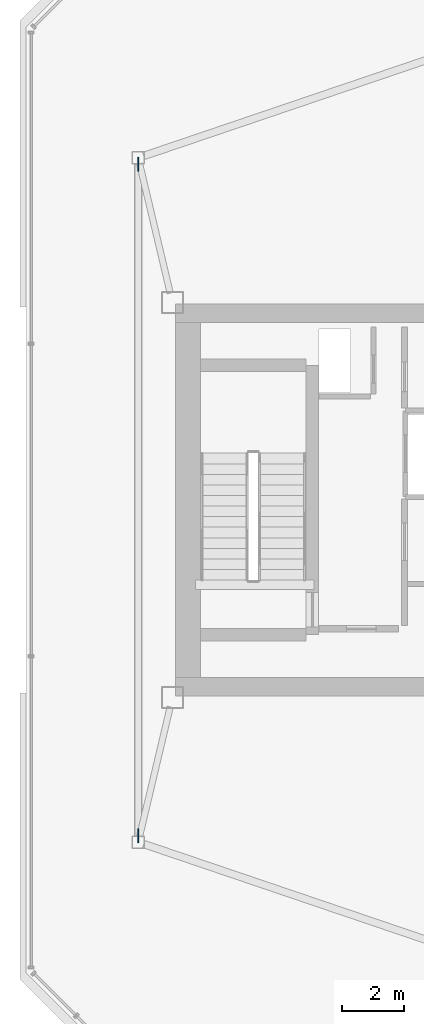
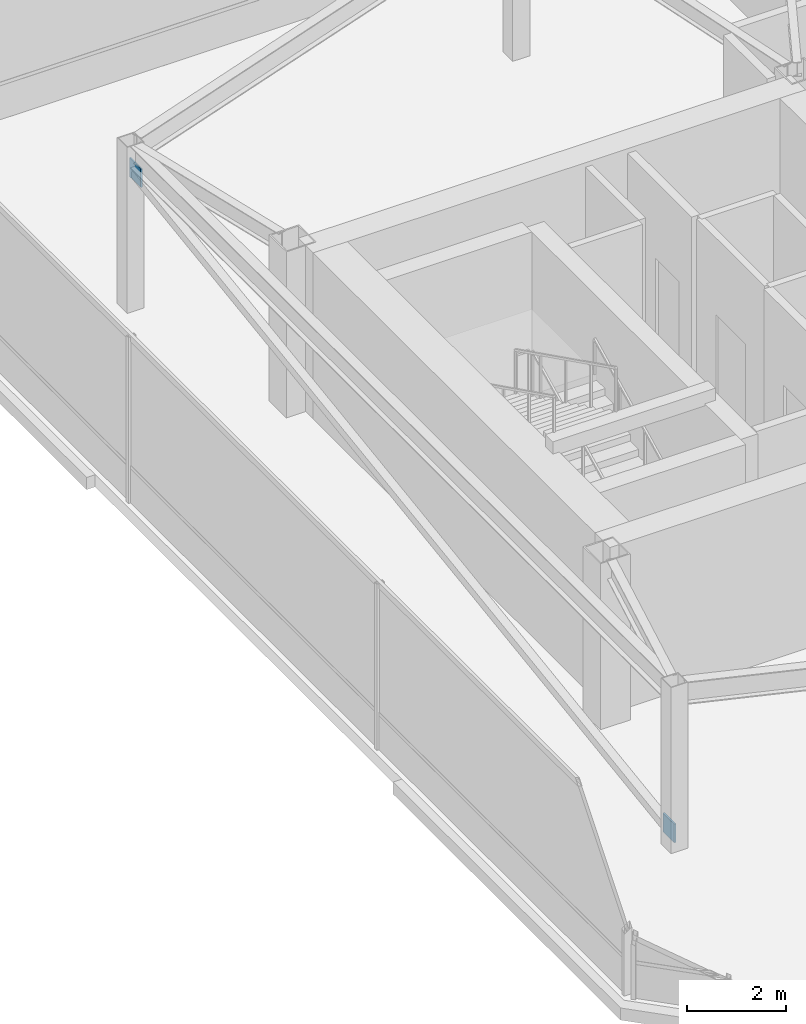
# One storey, part 20 of 22: 2 discrete accessories.
"""IFC4 building model written with IfcOpenShell, lengths in metres."""

from ifc_helpers import new_model, si_unit, direction, frame, origin, origin_2d, place, context, subcontext, project, spatial, rectangle, extrude, material, type_object, element, save


model = new_model("IFC4")

# Units and contexts
model_context = context("Model", 3, precision=1e-05, world=origin(), true_north=direction((0.0, 1.0)))
body_context = subcontext(model_context, "Body", "Model", "MODEL_VIEW")
ifc_project = project(units=[si_unit("LENGTHUNIT", "METRE"), si_unit("AREAUNIT", "SQUARE_METRE"), si_unit("VOLUMEUNIT", "CUBIC_METRE"), si_unit("PLANEANGLEUNIT", "RADIAN"), si_unit("MASSUNIT", "GRAM", prefix="KILO")], contexts=[model_context])

# Site, building, storey
site_placement = place(None, origin())
site = spatial("IfcSite", under=ifc_project, at=site_placement, CompositionType="ELEMENT")
building_placement = place(site_placement, origin())
building = spatial("IfcBuilding", under=site, at=building_placement, Name="Tavrogorsk Clinical Tower", CompositionType="ELEMENT")
storey_placement = place(building_placement, frame((0.0, 0.0, 339.800048828125)))
storey = spatial("IfcBuildingStorey", under=building, at=storey_placement, Name="L79", CompositionType="ELEMENT", Elevation=339.800048828125)

# Discrete accessories
ifc_material = material(Name="Structural steel S440", Category="steel")
discrete_accessory_type = type_object("IfcDiscreteAccessoryType", Name="GussetPlateBracket_25", PredefinedType="BRACKET", material=ifc_material)
for number, where, z_axis, x_axis, name in (
    (1, (-23.199951171875, -10.792236328125, 0.099609375), (0.0, 0.0, 1.0), (0.0, 1.0, 0.0), "L79 Brace Gusset Plate CRNBR-L79-1-A"),
    (2, (-23.199951171875, 10.792236328125, 3.190185546875), (0.0, 0.0, 1.0), (0.0, 1.0, 0.0), "L79 Brace Gusset Plate CRNBR-L79-1-B"),
):
    element("IfcDiscreteAccessory", number, at=place(storey_placement, frame(where, z_axis=z_axis, x_axis=x_axis)), inside=storey, type_object=discrete_accessory_type, Name=name, PredefinedType="BRACKET", context=body_context, shape_type="SweptSolid", body=[
        extrude(rectangle(XDim=0.4599609375, YDim=0.0400390625, at=origin_2d()), origin(), (0.0, 0.0, 1.0), 0.4599609375),
    ])

save(model, "model.ifc")
